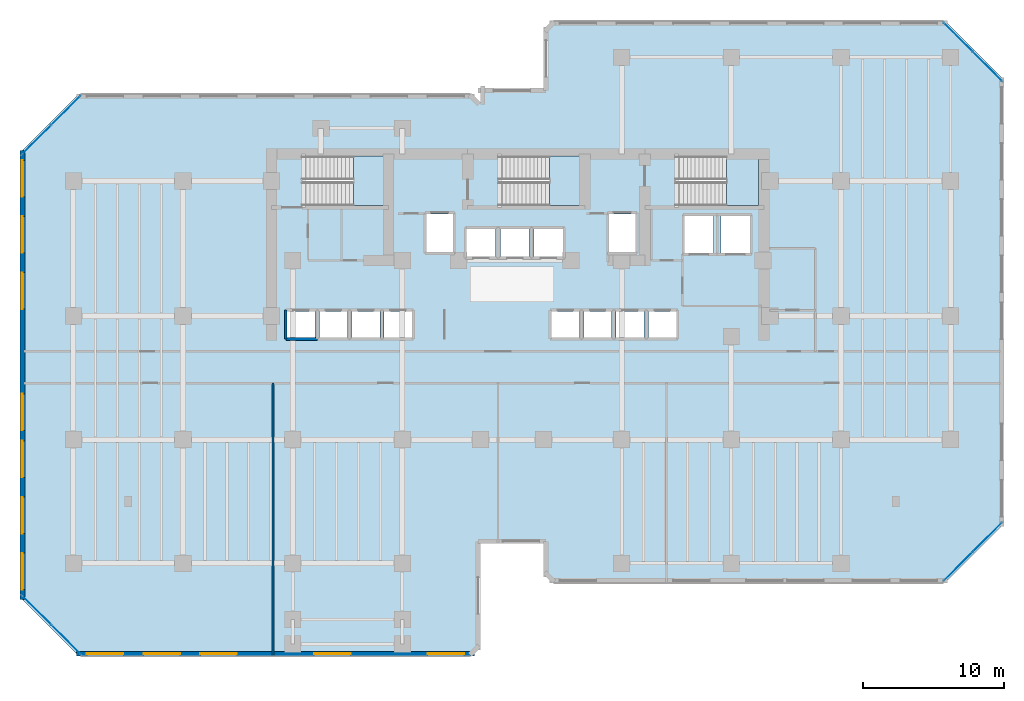
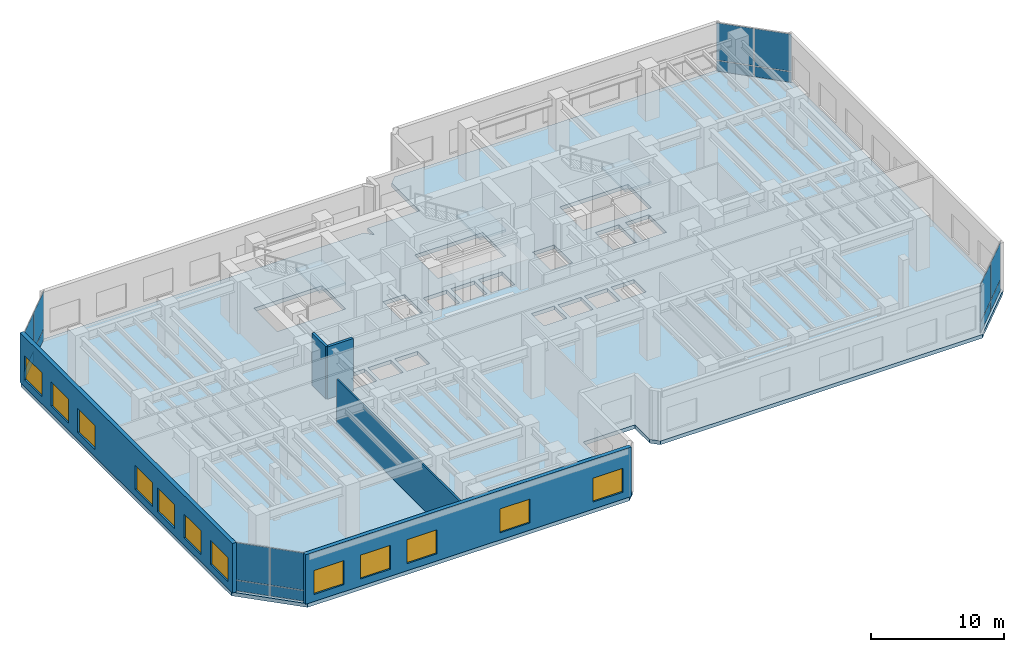
# One storey, part 9 of 17: 16 plates, 12 windows, 5 walls, 4 slabs, 12 openings, 7 elements without a shape of their own.
"""IFC4 building model written with IfcOpenShell, lengths in metres."""

from ifc_helpers import new_model, si_unit, direction, frame, frame_2d, origin, origin_2d, place, context, subcontext, project, spatial, polyline, rectangle, outline, extrude, material, layer, layer_set, type_object, element, fill, aggregate, save


model = new_model("IFC4")

# Units and contexts
model_context = context("Model", 3, precision=1e-05, world=origin(), true_north=direction((0.0, 1.0)))
body_context = subcontext(model_context, "Body", "Model", "MODEL_VIEW")
ifc_project = project(units=[si_unit("LENGTHUNIT", "METRE"), si_unit("AREAUNIT", "SQUARE_METRE"), si_unit("VOLUMEUNIT", "CUBIC_METRE"), si_unit("PLANEANGLEUNIT", "RADIAN"), si_unit("MASSUNIT", "GRAM", prefix="KILO")], contexts=[model_context])

# Site, building, storey
site_placement = place(None, origin())
site = spatial("IfcSite", under=ifc_project, at=site_placement, CompositionType="ELEMENT")
building_placement = place(site_placement, origin())
building = spatial("IfcBuilding", under=site, at=building_placement, Name="Kestravale Grand Hotel", CompositionType="ELEMENT")
storey_placement = place(building_placement, frame((0.0, 0.0, 129.800048828125)))
storey = spatial("IfcBuildingStorey", under=building, at=storey_placement, Name="L32", CompositionType="ELEMENT", Elevation=129.800048828125)

# Curtain wall, plates
ifc_material_1 = material(Name="Thermally broken champagne-bronze aluminium and low-E glazing", Category="aluminium")
ifc_layer_1 = layer(ifc_material_1, 0.199951171875)
ifc_layer_set_1 = layer_set([ifc_layer_1], Name="CW-Z2")
curtain_wall_type = type_object("IfcCurtainWallType", Name="CW-Z2", PredefinedType="NOTDEFINED", material=ifc_layer_set_1)
curtain_wall_1_placement = place(storey_placement, origin())
curtain_wall_1 = element("IfcCurtainWall", 1, at=curtain_wall_1_placement, inside=storey, type_object=curtain_wall_type, Name="L32 unitised curtain wall 8", PredefinedType="NOTDEFINED")
ifc_material_2 = material(Name="Insulated clear low-E double glazing IGU", Category="glass")
ifc_layer_2 = layer(ifc_material_2, 0.031982421875)
ifc_layer_set_2 = layer_set([ifc_layer_2], Name="CW-PNL-32")
plate_type = type_object("IfcPlateType", Name="CW-PNL-32", PredefinedType="CURTAIN_PANEL", material=ifc_layer_set_2)
plate_1_placement = place(storey_placement, frame((70.73583984375, 10.976318359375, 0.06494140625), z_axis=(0.0, 0.0, 1.0), x_axis=(0.707106781187, 0.707106781187, 0.0)))
plate_1 = element("IfcPlate", 2, at=plate_1_placement, type_object=plate_type, Name="CW-Z2 panel 1.1", PredefinedType="CURTAIN_PANEL", context=body_context, shape_type="SweptSolid", body=[
    extrude(rectangle(XDim=2.87744140625, YDim=0.031982421875, at=origin_2d()), origin(), (0.0, 0.0, 1.0), 0.952392578125),
])
plate_2_placement = place(storey_placement, frame((70.73583984375, 10.976318359375, 1.08251953125), z_axis=(0.0, 0.0, 1.0), x_axis=(0.707106781187, 0.707106781187, 0.0)))
plate_2 = element("IfcPlate", 3, at=plate_2_placement, type_object=plate_type, Name="CW-Z2 panel 1.2", PredefinedType="CURTAIN_PANEL", context=body_context, shape_type="SweptSolid", body=[
    extrude(rectangle(XDim=2.87744140625, YDim=0.031982421875, at=origin_2d()), origin(), (0.0, 0.0, 1.0), 3.402587890625),
])
plate_3_placement = place(storey_placement, frame((72.82373046875, 13.06396484375, 0.06494140625), z_axis=(0.0, 0.0, 1.0), x_axis=(0.707106781187, 0.707106781187, 0.0)))
plate_3 = element("IfcPlate", 4, at=plate_3_placement, type_object=plate_type, Name="CW-Z2 panel 2.1", PredefinedType="CURTAIN_PANEL", context=body_context, shape_type="SweptSolid", body=[
    extrude(rectangle(XDim=2.87744140625, YDim=0.031982421875, at=origin_2d()), origin(), (0.0, 0.0, 1.0), 0.952392578125),
])
plate_4_placement = place(storey_placement, frame((72.82373046875, 13.06396484375, 1.08251953125), z_axis=(0.0, 0.0, 1.0), x_axis=(0.707106781187, 0.707106781187, 0.0)))
plate_4 = element("IfcPlate", 5, at=plate_4_placement, type_object=plate_type, Name="CW-Z2 panel 2.2", PredefinedType="CURTAIN_PANEL", context=body_context, shape_type="SweptSolid", body=[
    extrude(rectangle(XDim=2.87744140625, YDim=0.031982421875, at=origin_2d()), origin(), (0.0, 0.0, 1.0), 3.402587890625),
])
aggregate(curtain_wall_1, [plate_1, plate_2, plate_3, plate_4])

curtain_wall_2_placement = place(storey_placement, origin())
curtain_wall_2 = element("IfcCurtainWall", 6, at=curtain_wall_2_placement, inside=storey, type_object=curtain_wall_type, Name="L32 unitised curtain wall 10", PredefinedType="NOTDEFINED")
plate_5_placement = place(storey_placement, frame((72.82373046875, 46.535888671875, 0.06494140625), z_axis=(0.0, 0.0, 1.0), x_axis=(-0.707106781187, 0.707106781187, 0.0)))
plate_5 = element("IfcPlate", 7, at=plate_5_placement, type_object=plate_type, Name="CW-Z2 panel 1.1", PredefinedType="CURTAIN_PANEL", context=body_context, shape_type="SweptSolid", body=[
    extrude(rectangle(XDim=2.87744140625, YDim=0.031982421875, at=origin_2d()), origin(), (0.0, 0.0, 1.0), 0.952392578125),
])
plate_6_placement = place(storey_placement, frame((72.82373046875, 46.535888671875, 1.08251953125), z_axis=(0.0, 0.0, 1.0), x_axis=(-0.707106781187, 0.707106781187, 0.0)))
plate_6 = element("IfcPlate", 8, at=plate_6_placement, type_object=plate_type, Name="CW-Z2 panel 1.2", PredefinedType="CURTAIN_PANEL", context=body_context, shape_type="SweptSolid", body=[
    extrude(rectangle(XDim=2.87744140625, YDim=0.031982421875, at=origin_2d()), origin(), (0.0, 0.0, 1.0), 3.402587890625),
])
plate_7_placement = place(storey_placement, frame((70.73583984375, 48.62353515625, 0.06494140625), z_axis=(0.0, 0.0, 1.0), x_axis=(-0.707106781187, 0.707106781187, 0.0)))
plate_7 = element("IfcPlate", 9, at=plate_7_placement, type_object=plate_type, Name="CW-Z2 panel 2.1", PredefinedType="CURTAIN_PANEL", context=body_context, shape_type="SweptSolid", body=[
    extrude(rectangle(XDim=2.87744140625, YDim=0.031982421875, at=origin_2d()), origin(), (0.0, 0.0, 1.0), 0.952392578125),
])
plate_8_placement = place(storey_placement, frame((70.73583984375, 48.62353515625, 1.08251953125), z_axis=(0.0, 0.0, 1.0), x_axis=(-0.707106781187, 0.707106781187, 0.0)))
plate_8 = element("IfcPlate", 10, at=plate_8_placement, type_object=plate_type, Name="CW-Z2 panel 2.2", PredefinedType="CURTAIN_PANEL", context=body_context, shape_type="SweptSolid", body=[
    extrude(rectangle(XDim=2.87744140625, YDim=0.031982421875, at=origin_2d()), origin(), (0.0, 0.0, 1.0), 3.402587890625),
])
aggregate(curtain_wall_2, [plate_5, plate_6, plate_7, plate_8])

curtain_wall_3_placement = place(storey_placement, origin())
curtain_wall_3 = element("IfcCurtainWall", 11, at=curtain_wall_3_placement, inside=storey, type_object=curtain_wall_type, Name="L32 unitised curtain wall 18", PredefinedType="NOTDEFINED")
plate_9_placement = place(storey_placement, frame((7.26416015625, 43.423583984375, 0.06494140625), z_axis=(0.0, 0.0, 1.0), x_axis=(-0.707106781187, -0.707106781187, 0.0)))
plate_9 = element("IfcPlate", 12, at=plate_9_placement, type_object=plate_type, Name="CW-Z2 panel 1.1", PredefinedType="CURTAIN_PANEL", context=body_context, shape_type="SweptSolid", body=[
    extrude(rectangle(XDim=2.87744140625, YDim=0.031982421875, at=origin_2d()), origin(), (0.0, 0.0, 1.0), 0.952392578125),
])
plate_10_placement = place(storey_placement, frame((7.26416015625, 43.423583984375, 1.08251953125), z_axis=(0.0, 0.0, 1.0), x_axis=(-0.707106781187, -0.707106781187, 0.0)))
plate_10 = element("IfcPlate", 13, at=plate_10_placement, type_object=plate_type, Name="CW-Z2 panel 1.2", PredefinedType="CURTAIN_PANEL", context=body_context, shape_type="SweptSolid", body=[
    extrude(rectangle(XDim=2.87744140625, YDim=0.031982421875, at=origin_2d()), origin(), (0.0, 0.0, 1.0), 3.402587890625),
])
plate_11_placement = place(storey_placement, frame((5.17626953125, 41.3359375, 0.06494140625), z_axis=(0.0, 0.0, 1.0), x_axis=(-0.707106781187, -0.707106781187, 0.0)))
plate_11 = element("IfcPlate", 14, at=plate_11_placement, type_object=plate_type, Name="CW-Z2 panel 2.1", PredefinedType="CURTAIN_PANEL", context=body_context, shape_type="SweptSolid", body=[
    extrude(rectangle(XDim=2.87744140625, YDim=0.031982421875, at=origin_2d()), origin(), (0.0, 0.0, 1.0), 0.952392578125),
])
plate_12_placement = place(storey_placement, frame((5.17626953125, 41.3359375, 1.08251953125), z_axis=(0.0, 0.0, 1.0), x_axis=(-0.707106781187, -0.707106781187, 0.0)))
plate_12 = element("IfcPlate", 15, at=plate_12_placement, type_object=plate_type, Name="CW-Z2 panel 2.2", PredefinedType="CURTAIN_PANEL", context=body_context, shape_type="SweptSolid", body=[
    extrude(rectangle(XDim=2.87744140625, YDim=0.031982421875, at=origin_2d()), origin(), (0.0, 0.0, 1.0), 3.402587890625),
])
aggregate(curtain_wall_3, [plate_9, plate_10, plate_11, plate_12])

curtain_wall_4_placement = place(storey_placement, origin())
curtain_wall_4 = element("IfcCurtainWall", 16, at=curtain_wall_4_placement, inside=storey, type_object=curtain_wall_type, Name="L32 unitised curtain wall 20", PredefinedType="NOTDEFINED")
plate_13_placement = place(storey_placement, frame((5.17626953125, 7.864013671875, 0.06494140625), z_axis=(0.0, 0.0, 1.0), x_axis=(0.707106781187, -0.707106781187, 0.0)))
plate_13 = element("IfcPlate", 17, at=plate_13_placement, type_object=plate_type, Name="CW-Z2 panel 1.1", PredefinedType="CURTAIN_PANEL", context=body_context, shape_type="SweptSolid", body=[
    extrude(rectangle(XDim=2.87744140625, YDim=0.031982421875, at=origin_2d()), origin(), (0.0, 0.0, 1.0), 0.952392578125),
])
plate_14_placement = place(storey_placement, frame((5.17626953125, 7.864013671875, 1.08251953125), z_axis=(0.0, 0.0, 1.0), x_axis=(0.707106781187, -0.707106781187, 0.0)))
plate_14 = element("IfcPlate", 18, at=plate_14_placement, type_object=plate_type, Name="CW-Z2 panel 1.2", PredefinedType="CURTAIN_PANEL", context=body_context, shape_type="SweptSolid", body=[
    extrude(rectangle(XDim=2.87744140625, YDim=0.031982421875, at=origin_2d()), origin(), (0.0, 0.0, 1.0), 3.402587890625),
])
plate_15_placement = place(storey_placement, frame((7.26416015625, 5.7763671875, 0.06494140625), z_axis=(0.0, 0.0, 1.0), x_axis=(0.707106781187, -0.707106781187, 0.0)))
plate_15 = element("IfcPlate", 19, at=plate_15_placement, type_object=plate_type, Name="CW-Z2 panel 2.1", PredefinedType="CURTAIN_PANEL", context=body_context, shape_type="SweptSolid", body=[
    extrude(rectangle(XDim=2.87744140625, YDim=0.031982421875, at=origin_2d()), origin(), (0.0, 0.0, 1.0), 0.952392578125),
])
plate_16_placement = place(storey_placement, frame((7.26416015625, 5.7763671875, 1.08251953125), z_axis=(0.0, 0.0, 1.0), x_axis=(0.707106781187, -0.707106781187, 0.0)))
plate_16 = element("IfcPlate", 20, at=plate_16_placement, type_object=plate_type, Name="CW-Z2 panel 2.2", PredefinedType="CURTAIN_PANEL", context=body_context, shape_type="SweptSolid", body=[
    extrude(rectangle(XDim=2.87744140625, YDim=0.031982421875, at=origin_2d()), origin(), (0.0, 0.0, 1.0), 3.402587890625),
])
aggregate(curtain_wall_4, [plate_13, plate_14, plate_15, plate_16])

# Stair, slab
ifc_material_3 = material(Name="Concrete f'c 45 MPa", Category="concrete")
stair_type = type_object("IfcStairType", Name="ST-CORE-480", PredefinedType="HALF_TURN_STAIR", material=ifc_material_3)
stair_1_placement = place(storey_placement, origin())
stair_1 = element("IfcStair", 21, at=stair_1_placement, inside=storey, type_object=stair_type, Name="L32 ST-1", PredefinedType="HALF_TURN_STAIR")
ifc_material_4 = material(Name="Concrete f'c 45 MPa", Category="concrete")
ifc_layer_3 = layer(ifc_material_4, 0.199951171875)
ifc_layer_set_3 = layer_set([ifc_layer_3], Name="SLB-ST-LND200")
slab_type_1 = type_object("IfcSlabType", Name="SLB-ST-LND200", PredefinedType="LANDING", material=ifc_layer_set_3)
slab_1_placement = place(storey_placement, frame((0.0, 0.0, 2.199951171875)))
slab_1 = element("IfcSlab", 22, at=slab_1_placement, type_object=slab_type_1, Name="ST-1 landing 1", PredefinedType="LANDING", context=body_context, shape_type="SweptSolid", body=[
    extrude(outline(polyline([(27.719970703125, 36.64990234375), (30.0, 36.64990234375), (30.0, 40.159912109375), (27.719970703125, 40.159912109375), (27.719970703125, 36.64990234375)])), origin(), (0.0, 0.0, 1.0), 0.199951171875),
])
aggregate(stair_1, [slab_1])

stair_2_placement = place(storey_placement, origin())
stair_2 = element("IfcStair", 23, at=stair_2_placement, inside=storey, type_object=stair_type, Name="L32 ST-2", PredefinedType="HALF_TURN_STAIR")
slab_2_placement = place(storey_placement, frame((0.0, 0.0, 2.199951171875)))
slab_2 = element("IfcSlab", 24, at=slab_2_placement, type_object=slab_type_1, Name="ST-2 landing 1", PredefinedType="LANDING", context=body_context, shape_type="SweptSolid", body=[
    extrude(outline(polyline([(41.669921875, 36.64990234375), (43.949951171875, 36.64990234375), (43.949951171875, 40.159912109375), (41.669921875, 40.159912109375), (41.669921875, 36.64990234375)])), origin(), (0.0, 0.0, 1.0), 0.199951171875),
])
aggregate(stair_2, [slab_2])

stair_3_placement = place(storey_placement, origin())
stair_3 = element("IfcStair", 25, at=stair_3_placement, inside=storey, type_object=stair_type, Name="L32 ST-3", PredefinedType="HALF_TURN_STAIR")
slab_3_placement = place(storey_placement, frame((0.0, 0.0, 2.199951171875)))
slab_3 = element("IfcSlab", 26, at=slab_3_placement, type_object=slab_type_1, Name="ST-3 landing 1", PredefinedType="LANDING", context=body_context, shape_type="SweptSolid", body=[
    extrude(outline(polyline([(54.27001953125, 36.64990234375), (56.550048828125, 36.64990234375), (56.550048828125, 40.159912109375), (54.27001953125, 40.159912109375), (54.27001953125, 36.64990234375)])), origin(), (0.0, 0.0, 1.0), 0.199951171875),
])
aggregate(stair_3, [slab_3])

# Slab
ifc_material_5 = material(Name="Concrete f'c 45 MPa", Category="concrete")
ifc_layer_4 = layer(ifc_material_5, 0.340087890625)
ifc_layer_set_4 = layer_set([ifc_layer_4], Name="SS-FLR-340")
slab_type_2 = type_object("IfcSlabType", Name="SS-FLR-340", PredefinedType="FLOOR", material=ifc_layer_set_4)
slab_4_placement = place(storey_placement, frame((0.0, 0.0, -0.340087890625)))
element("IfcSlab", 27, at=slab_4_placement, inside=storey, type_object=slab_type_2, Name="L32 structural floor slab", PredefinedType="FLOOR", context=body_context, shape_type="SweptSolid", body=[
    extrude(outline(polyline([(8.199951171875, 4.60009765625), (36.14990234375, 4.60009765625), (36.75, 5.199951171875), (36.75, 12.60009765625), (41.25, 12.60009765625), (41.25, 10.39990234375), (41.85009765625, 9.800048828125), (69.800048828125, 9.800048828125), (74.0, 14.0), (74.0, 45.60009765625), (69.800048828125, 49.800048828125), (41.85009765625, 49.800048828125), (41.25, 49.199951171875), (41.25, 45.0), (36.75, 45.0), (36.75, 44.0), (36.14990234375, 44.60009765625), (8.199951171875, 44.60009765625), (4.0, 40.39990234375), (4.0, 8.800048828125), (8.199951171875, 4.60009765625)]), holes=[polyline([(24.080078125, 36.64990234375), (30.0, 36.64990234375), (30.0, 40.159912109375), (24.080078125, 40.159912109375), (24.080078125, 36.64990234375)]), polyline([(38.030029296875, 36.64990234375), (43.949951171875, 36.64990234375), (43.949951171875, 40.159912109375), (38.030029296875, 40.159912109375), (38.030029296875, 36.64990234375)]), polyline([(50.6298828125, 36.64990234375), (56.550048828125, 36.64990234375), (56.550048828125, 40.159912109375), (50.6298828125, 40.159912109375), (50.6298828125, 36.64990234375)]), polyline([(23.0048828125, 27.280029296875), (24.9951171875, 27.280029296875), (24.9951171875, 29.1201171875), (23.0048828125, 29.1201171875), (23.0048828125, 27.280029296875)]), polyline([(25.304931640625, 27.280029296875), (27.294921875, 27.280029296875), (27.294921875, 29.1201171875), (25.304931640625, 29.1201171875), (25.304931640625, 27.280029296875)]), polyline([(27.60498046875, 27.280029296875), (29.594970703125, 27.280029296875), (29.594970703125, 29.1201171875), (27.60498046875, 29.1201171875), (27.60498046875, 27.280029296875)]), polyline([(29.905029296875, 27.280029296875), (31.89501953125, 27.280029296875), (31.89501953125, 29.1201171875), (29.905029296875, 29.1201171875), (29.905029296875, 27.280029296875)]), polyline([(41.804931640625, 27.280029296875), (43.794921875, 27.280029296875), (43.794921875, 29.1201171875), (41.804931640625, 29.1201171875), (41.804931640625, 27.280029296875)]), polyline([(44.10498046875, 27.280029296875), (46.094970703125, 27.280029296875), (46.094970703125, 29.1201171875), (44.10498046875, 29.1201171875), (44.10498046875, 27.280029296875)]), polyline([(46.405029296875, 27.280029296875), (48.39501953125, 27.280029296875), (48.39501953125, 29.1201171875), (46.405029296875, 29.1201171875), (46.405029296875, 27.280029296875)]), polyline([(48.705078125, 27.280029296875), (50.695068359375, 27.280029296875), (50.695068359375, 29.1201171875), (48.705078125, 29.1201171875), (48.705078125, 27.280029296875)]), polyline([(35.780029296875, 33.030029296875), (37.820068359375, 33.030029296875), (37.820068359375, 34.969970703125), (35.780029296875, 34.969970703125), (35.780029296875, 33.030029296875)]), polyline([(38.179931640625, 33.030029296875), (40.219970703125, 33.030029296875), (40.219970703125, 34.969970703125), (38.179931640625, 34.969970703125), (38.179931640625, 33.030029296875)]), polyline([(40.580078125, 33.030029296875), (42.6201171875, 33.030029296875), (42.6201171875, 34.969970703125), (40.580078125, 34.969970703125), (40.580078125, 33.030029296875)]), polyline([(32.905029296875, 33.35498046875), (34.794921875, 33.35498046875), (34.794921875, 36.044921875), (32.905029296875, 36.044921875), (32.905029296875, 33.35498046875)]), polyline([(45.905029296875, 33.35498046875), (47.794921875, 33.35498046875), (47.794921875, 36.044921875), (45.905029296875, 36.044921875), (45.905029296875, 33.35498046875)]), polyline([(51.280029296875, 33.280029296875), (53.320068359375, 33.280029296875), (53.320068359375, 35.919921875), (51.280029296875, 35.919921875), (51.280029296875, 33.280029296875)]), polyline([(53.8798828125, 33.280029296875), (55.919921875, 33.280029296875), (55.919921875, 35.919921875), (53.8798828125, 35.919921875), (53.8798828125, 33.280029296875)])]), origin(), (0.0, 0.0, 1.0), 0.340087890625),
])

# Wall, openings, windows
ifc_material_6 = material(Name="Precast concrete f'c 45 MPa", Category="concrete")
ifc_layer_5 = layer(ifc_material_6, 0.340087890625)
ifc_layer_set_5 = layer_set([ifc_layer_5], Name="EW-PREC-340")
wall_type_1 = type_object("IfcWallType", Name="EW-PREC-340", PredefinedType="SOLIDWALL", material=ifc_layer_set_5)
wall_1_placement = place(storey_placement, frame((8.030029296875, 4.77001953125, 0.0), z_axis=(0.0, 0.0, 1.0), x_axis=(1.0, 0.0, 0.0)))
wall_1 = element("IfcWall", 28, at=wall_1_placement, inside=storey, type_object=wall_type_1, Name="L32 fluted precast facade wall 1", PredefinedType="SOLIDWALL", context=body_context, shape_type="SweptSolid", body=[
    extrude(rectangle(XDim=28.2900390625, YDim=0.340087890625, at=frame_2d((14.14501953125, 0.0))), origin(), (0.0, 0.0, 1.0), 4.550048828125),
])
opening_1_placement = place(wall_1_placement, frame((0.720703125, 0.0, 0.64990234375)))
opening_1 = element("IfcOpeningElement", 29, at=opening_1_placement, cuts=wall_1, Name="Opening W-SKY-2600", PredefinedType="OPENING", context=body_context, shape_type="SweptSolid", body=[
    extrude(rectangle(XDim=2.60009765625, YDim=2.199951171875, at=frame_2d((1.300048828125, 1.10009765625))), frame((0.0, 0.179931640625, 0.0), z_axis=(0.0, -1.0, 0.0), x_axis=(1.0, 0.0, 0.0)), (0.0, 0.0, 1.0), 0.360107421875),
])
opening_2_placement = place(wall_1_placement, frame((4.76220703125, 0.0, 0.64990234375)))
opening_2 = element("IfcOpeningElement", 30, at=opening_2_placement, cuts=wall_1, Name="Opening W-SKY-2600", PredefinedType="OPENING", context=body_context, shape_type="SweptSolid", body=[
    extrude(rectangle(XDim=2.60009765625, YDim=2.199951171875, at=frame_2d((1.300048828125, 1.10009765625))), frame((0.0, 0.179931640625, 0.0), z_axis=(0.0, -1.0, 0.0), x_axis=(1.0, 0.0, 0.0)), (0.0, 0.0, 1.0), 0.360107421875),
])
opening_3_placement = place(wall_1_placement, frame((8.8037109375, 0.0, 0.64990234375)))
opening_3 = element("IfcOpeningElement", 31, at=opening_3_placement, cuts=wall_1, Name="Opening W-SKY-2600", PredefinedType="OPENING", context=body_context, shape_type="SweptSolid", body=[
    extrude(rectangle(XDim=2.60009765625, YDim=2.199951171875, at=frame_2d((1.300048828125, 1.10009765625))), frame((0.0, 0.179931640625, 0.0), z_axis=(0.0, -1.0, 0.0), x_axis=(1.0, 0.0, 0.0)), (0.0, 0.0, 1.0), 0.360107421875),
])
opening_4_placement = place(wall_1_placement, frame((16.886474609375, 0.0, 0.64990234375)))
opening_4 = element("IfcOpeningElement", 32, at=opening_4_placement, cuts=wall_1, Name="Opening W-SKY-2600", PredefinedType="OPENING", context=body_context, shape_type="SweptSolid", body=[
    extrude(rectangle(XDim=2.60009765625, YDim=2.199951171875, at=frame_2d((1.300048828125, 1.10009765625))), frame((0.0, 0.179931640625, 0.0), z_axis=(0.0, -1.0, 0.0), x_axis=(1.0, 0.0, 0.0)), (0.0, 0.0, 1.0), 0.360107421875),
])
opening_5_placement = place(wall_1_placement, frame((24.96923828125, 0.0, 0.64990234375)))
opening_5 = element("IfcOpeningElement", 33, at=opening_5_placement, cuts=wall_1, Name="Opening W-SKY-2600", PredefinedType="OPENING", context=body_context, shape_type="SweptSolid", body=[
    extrude(rectangle(XDim=2.60009765625, YDim=2.199951171875, at=frame_2d((1.300048828125, 1.10009765625))), frame((0.0, 0.179931640625, 0.0), z_axis=(0.0, -1.0, 0.0), x_axis=(1.0, 0.0, 0.0)), (0.0, 0.0, 1.0), 0.360107421875),
])
ifc_material_7 = material(Name="Insulated low-E double glazing in aluminium frame", Category="aluminium")
window_type = type_object("IfcWindowType", Name="W-SKY-2600", PartitioningType="TRIPLE_PANEL_VERTICAL", PredefinedType="WINDOW", material=ifc_material_7)
window_1_placement = place(opening_1_placement, origin())
window_1 = element("IfcWindow", 34, at=window_1_placement, inside=storey, type_object=window_type, Name="L32 exterior window 1.1", OverallHeight=2.199951171875, OverallWidth=2.60009765625, PartitioningType="SINGLE_PANEL", PredefinedType="WINDOW", context=body_context, shape_type="SweptSolid", body=[
    extrude(rectangle(XDim=2.60009765625, YDim=2.199951171875, at=frame_2d((1.300048828125, 1.10009765625))), frame((0.0, 0.030029296875, 0.0), z_axis=(0.0, -1.0, 0.0), x_axis=(1.0, 0.0, 0.0)), (0.0, 0.0, 1.0), 0.06005859375),
])
fill(opening_1, window_1)
window_2_placement = place(opening_2_placement, origin())
window_2 = element("IfcWindow", 35, at=window_2_placement, inside=storey, type_object=window_type, Name="L32 exterior window 1.2", OverallHeight=2.199951171875, OverallWidth=2.60009765625, PartitioningType="SINGLE_PANEL", PredefinedType="WINDOW", context=body_context, shape_type="SweptSolid", body=[
    extrude(rectangle(XDim=2.60009765625, YDim=2.199951171875, at=frame_2d((1.300048828125, 1.10009765625))), frame((0.0, 0.030029296875, 0.0), z_axis=(0.0, -1.0, 0.0), x_axis=(1.0, 0.0, 0.0)), (0.0, 0.0, 1.0), 0.06005859375),
])
fill(opening_2, window_2)
window_3_placement = place(opening_3_placement, origin())
window_3 = element("IfcWindow", 36, at=window_3_placement, inside=storey, type_object=window_type, Name="L32 exterior window 1.3", OverallHeight=2.199951171875, OverallWidth=2.60009765625, PartitioningType="SINGLE_PANEL", PredefinedType="WINDOW", context=body_context, shape_type="SweptSolid", body=[
    extrude(rectangle(XDim=2.60009765625, YDim=2.199951171875, at=frame_2d((1.300048828125, 1.10009765625))), frame((0.0, 0.030029296875, 0.0), z_axis=(0.0, -1.0, 0.0), x_axis=(1.0, 0.0, 0.0)), (0.0, 0.0, 1.0), 0.06005859375),
])
fill(opening_3, window_3)
window_4_placement = place(opening_4_placement, origin())
window_4 = element("IfcWindow", 37, at=window_4_placement, inside=storey, type_object=window_type, Name="L32 exterior window 1.4", OverallHeight=2.199951171875, OverallWidth=2.60009765625, PartitioningType="SINGLE_PANEL", PredefinedType="WINDOW", context=body_context, shape_type="SweptSolid", body=[
    extrude(rectangle(XDim=2.60009765625, YDim=2.199951171875, at=frame_2d((1.300048828125, 1.10009765625))), frame((0.0, 0.030029296875, 0.0), z_axis=(0.0, -1.0, 0.0), x_axis=(1.0, 0.0, 0.0)), (0.0, 0.0, 1.0), 0.06005859375),
])
fill(opening_4, window_4)
window_5_placement = place(opening_5_placement, origin())
window_5 = element("IfcWindow", 38, at=window_5_placement, inside=storey, type_object=window_type, Name="L32 exterior window 1.5", OverallHeight=2.199951171875, OverallWidth=2.60009765625, PartitioningType="SINGLE_PANEL", PredefinedType="WINDOW", context=body_context, shape_type="SweptSolid", body=[
    extrude(rectangle(XDim=2.60009765625, YDim=2.199951171875, at=frame_2d((1.300048828125, 1.10009765625))), frame((0.0, 0.030029296875, 0.0), z_axis=(0.0, -1.0, 0.0), x_axis=(1.0, 0.0, 0.0)), (0.0, 0.0, 1.0), 0.06005859375),
])
fill(opening_5, window_5)

wall_2_placement = place(storey_placement, frame((4.169921875, 40.570068359375, 0.0), z_axis=(0.0, 0.0, 1.0), x_axis=(0.0, -1.0, 0.0)))
wall_2 = element("IfcWall", 39, at=wall_2_placement, inside=storey, type_object=wall_type_1, Name="L32 fluted precast facade wall 19", PredefinedType="SOLIDWALL", context=body_context, shape_type="SweptSolid", body=[
    extrude(rectangle(XDim=31.940185546875, YDim=0.340087890625, at=frame_2d((15.97021484375, 0.0))), origin(), (0.0, 0.0, 1.0), 4.550048828125),
])
opening_6_placement = place(wall_2_placement, frame((0.6962890625, 0.0, 0.64990234375)))
opening_6 = element("IfcOpeningElement", 40, at=opening_6_placement, cuts=wall_2, Name="Opening W-SKY-2600", PredefinedType="OPENING", context=body_context, shape_type="SweptSolid", body=[
    extrude(rectangle(XDim=2.60009765625, YDim=2.199951171875, at=frame_2d((1.300048828125, 1.10009765625))), frame((0.0, 0.179931640625, 0.0), z_axis=(0.0, -1.0, 0.0), x_axis=(1.0, 0.0, 0.0)), (0.0, 0.0, 1.0), 0.360107421875),
])
opening_7_placement = place(wall_2_placement, frame((4.688720703125, 0.0, 0.64990234375)))
opening_7 = element("IfcOpeningElement", 41, at=opening_7_placement, cuts=wall_2, Name="Opening W-SKY-2600", PredefinedType="OPENING", context=body_context, shape_type="SweptSolid", body=[
    extrude(rectangle(XDim=2.60009765625, YDim=2.199951171875, at=frame_2d((1.300048828125, 1.10009765625))), frame((0.0, 0.179931640625, 0.0), z_axis=(0.0, -1.0, 0.0), x_axis=(1.0, 0.0, 0.0)), (0.0, 0.0, 1.0), 0.360107421875),
])
opening_8_placement = place(wall_2_placement, frame((8.68115234375, 0.0, 0.64990234375)))
opening_8 = element("IfcOpeningElement", 42, at=opening_8_placement, cuts=wall_2, Name="Opening W-SKY-2600", PredefinedType="OPENING", context=body_context, shape_type="SweptSolid", body=[
    extrude(rectangle(XDim=2.60009765625, YDim=2.199951171875, at=frame_2d((1.300048828125, 1.10009765625))), frame((0.0, 0.179931640625, 0.0), z_axis=(0.0, -1.0, 0.0), x_axis=(1.0, 0.0, 0.0)), (0.0, 0.0, 1.0), 0.360107421875),
])
opening_9_placement = place(wall_2_placement, frame((17.316162109375, 0.0, 0.64990234375)))
opening_9 = element("IfcOpeningElement", 43, at=opening_9_placement, cuts=wall_2, Name="Opening W-SKY-2600", PredefinedType="OPENING", context=body_context, shape_type="SweptSolid", body=[
    extrude(rectangle(XDim=2.60009765625, YDim=2.199951171875, at=frame_2d((1.300048828125, 1.10009765625))), frame((0.0, 0.179931640625, 0.0), z_axis=(0.0, -1.0, 0.0), x_axis=(1.0, 0.0, 0.0)), (0.0, 0.0, 1.0), 0.360107421875),
])
opening_10_placement = place(wall_2_placement, frame((20.65869140625, 0.0, 0.64990234375)))
opening_10 = element("IfcOpeningElement", 44, at=opening_10_placement, cuts=wall_2, Name="Opening W-SKY-2600", PredefinedType="OPENING", context=body_context, shape_type="SweptSolid", body=[
    extrude(rectangle(XDim=2.60009765625, YDim=2.199951171875, at=frame_2d((1.300048828125, 1.10009765625))), frame((0.0, 0.179931640625, 0.0), z_axis=(0.0, -1.0, 0.0), x_axis=(1.0, 0.0, 0.0)), (0.0, 0.0, 1.0), 0.360107421875),
])
opening_11_placement = place(wall_2_placement, frame((24.651123046875, 0.0, 0.64990234375)))
opening_11 = element("IfcOpeningElement", 45, at=opening_11_placement, cuts=wall_2, Name="Opening W-SKY-2600", PredefinedType="OPENING", context=body_context, shape_type="SweptSolid", body=[
    extrude(rectangle(XDim=2.60009765625, YDim=2.199951171875, at=frame_2d((1.300048828125, 1.10009765625))), frame((0.0, 0.179931640625, 0.0), z_axis=(0.0, -1.0, 0.0), x_axis=(1.0, 0.0, 0.0)), (0.0, 0.0, 1.0), 0.360107421875),
])
opening_12_placement = place(wall_2_placement, frame((28.643798828125, 0.0, 0.64990234375)))
opening_12 = element("IfcOpeningElement", 46, at=opening_12_placement, cuts=wall_2, Name="Opening W-SKY-2600", PredefinedType="OPENING", context=body_context, shape_type="SweptSolid", body=[
    extrude(rectangle(XDim=2.60009765625, YDim=2.199951171875, at=frame_2d((1.300048828125, 1.10009765625))), frame((0.0, 0.179931640625, 0.0), z_axis=(0.0, -1.0, 0.0), x_axis=(1.0, 0.0, 0.0)), (0.0, 0.0, 1.0), 0.360107421875),
])
window_6_placement = place(opening_6_placement, origin())
window_6 = element("IfcWindow", 47, at=window_6_placement, inside=storey, type_object=window_type, Name="L32 exterior window 19.1", OverallHeight=2.199951171875, OverallWidth=2.60009765625, PartitioningType="SINGLE_PANEL", PredefinedType="WINDOW", context=body_context, shape_type="SweptSolid", body=[
    extrude(rectangle(XDim=2.60009765625, YDim=2.199951171875, at=frame_2d((1.300048828125, 1.10009765625))), frame((0.0, 0.030029296875, 0.0), z_axis=(0.0, -1.0, 0.0), x_axis=(1.0, 0.0, 0.0)), (0.0, 0.0, 1.0), 0.06005859375),
])
fill(opening_6, window_6)
window_7_placement = place(opening_7_placement, origin())
window_7 = element("IfcWindow", 48, at=window_7_placement, inside=storey, type_object=window_type, Name="L32 exterior window 19.2", OverallHeight=2.199951171875, OverallWidth=2.60009765625, PartitioningType="SINGLE_PANEL", PredefinedType="WINDOW", context=body_context, shape_type="SweptSolid", body=[
    extrude(rectangle(XDim=2.60009765625, YDim=2.199951171875, at=frame_2d((1.300048828125, 1.10009765625))), frame((0.0, 0.030029296875, 0.0), z_axis=(0.0, -1.0, 0.0), x_axis=(1.0, 0.0, 0.0)), (0.0, 0.0, 1.0), 0.06005859375),
])
fill(opening_7, window_7)
window_8_placement = place(opening_8_placement, origin())
window_8 = element("IfcWindow", 49, at=window_8_placement, inside=storey, type_object=window_type, Name="L32 exterior window 19.3", OverallHeight=2.199951171875, OverallWidth=2.60009765625, PartitioningType="SINGLE_PANEL", PredefinedType="WINDOW", context=body_context, shape_type="SweptSolid", body=[
    extrude(rectangle(XDim=2.60009765625, YDim=2.199951171875, at=frame_2d((1.300048828125, 1.10009765625))), frame((0.0, 0.030029296875, 0.0), z_axis=(0.0, -1.0, 0.0), x_axis=(1.0, 0.0, 0.0)), (0.0, 0.0, 1.0), 0.06005859375),
])
fill(opening_8, window_8)
window_9_placement = place(opening_9_placement, origin())
window_9 = element("IfcWindow", 50, at=window_9_placement, inside=storey, type_object=window_type, Name="L32 exterior window 19.4", OverallHeight=2.199951171875, OverallWidth=2.60009765625, PartitioningType="SINGLE_PANEL", PredefinedType="WINDOW", context=body_context, shape_type="SweptSolid", body=[
    extrude(rectangle(XDim=2.60009765625, YDim=2.199951171875, at=frame_2d((1.300048828125, 1.10009765625))), frame((0.0, 0.030029296875, 0.0), z_axis=(0.0, -1.0, 0.0), x_axis=(1.0, 0.0, 0.0)), (0.0, 0.0, 1.0), 0.06005859375),
])
fill(opening_9, window_9)
window_10_placement = place(opening_10_placement, origin())
window_10 = element("IfcWindow", 51, at=window_10_placement, inside=storey, type_object=window_type, Name="L32 exterior window 19.5", OverallHeight=2.199951171875, OverallWidth=2.60009765625, PartitioningType="SINGLE_PANEL", PredefinedType="WINDOW", context=body_context, shape_type="SweptSolid", body=[
    extrude(rectangle(XDim=2.60009765625, YDim=2.199951171875, at=frame_2d((1.300048828125, 1.10009765625))), frame((0.0, 0.030029296875, 0.0), z_axis=(0.0, -1.0, 0.0), x_axis=(1.0, 0.0, 0.0)), (0.0, 0.0, 1.0), 0.06005859375),
])
fill(opening_10, window_10)
window_11_placement = place(opening_11_placement, origin())
window_11 = element("IfcWindow", 52, at=window_11_placement, inside=storey, type_object=window_type, Name="L32 exterior window 19.6", OverallHeight=2.199951171875, OverallWidth=2.60009765625, PartitioningType="SINGLE_PANEL", PredefinedType="WINDOW", context=body_context, shape_type="SweptSolid", body=[
    extrude(rectangle(XDim=2.60009765625, YDim=2.199951171875, at=frame_2d((1.300048828125, 1.10009765625))), frame((0.0, 0.030029296875, 0.0), z_axis=(0.0, -1.0, 0.0), x_axis=(1.0, 0.0, 0.0)), (0.0, 0.0, 1.0), 0.06005859375),
])
fill(opening_11, window_11)
window_12_placement = place(opening_12_placement, origin())
window_12 = element("IfcWindow", 53, at=window_12_placement, inside=storey, type_object=window_type, Name="L32 exterior window 19.7", OverallHeight=2.199951171875, OverallWidth=2.60009765625, PartitioningType="SINGLE_PANEL", PredefinedType="WINDOW", context=body_context, shape_type="SweptSolid", body=[
    extrude(rectangle(XDim=2.60009765625, YDim=2.199951171875, at=frame_2d((1.300048828125, 1.10009765625))), frame((0.0, 0.030029296875, 0.0), z_axis=(0.0, -1.0, 0.0), x_axis=(1.0, 0.0, 0.0)), (0.0, 0.0, 1.0), 0.06005859375),
])
fill(opening_12, window_12)

# Walls
ifc_material_8 = material(Name="Concrete f'c 45 MPa", Category="concrete")
ifc_layer_6 = layer(ifc_material_8, 0.199951171875)
ifc_layer_set_6 = layer_set([ifc_layer_6], Name="IW-SHAFT-200")
wall_type_2 = type_object("IfcWallType", Name="IW-SHAFT-200", PredefinedType="SHEAR", material=ifc_layer_set_6)
wall_3_placement = place(storey_placement, frame((22.905029296875, 27.169921875, 0.0), z_axis=(0.0, 0.0, 1.0), x_axis=(0.0, 1.0, 0.0)))
element("IfcWall", 54, at=wall_3_placement, inside=storey, type_object=wall_type_2, Name="L32 PL-L1 west shaft wall", PredefinedType="SHEAR", context=body_context, shape_type="SweptSolid", body=[
    extrude(rectangle(XDim=2.06005859375, YDim=0.199951171875, at=frame_2d((1.030029296875, 0.0))), origin(), (0.0, 0.0, 1.0), 4.800048828125),
])
ifc_material_9 = material(Name="Concrete f'c 45 MPa", Category="concrete")
ifc_layer_7 = layer(ifc_material_9, 0.219970703125)
ifc_layer_set_7 = layer_set([ifc_layer_7], Name="IW-SHAFT-220")
wall_type_3 = type_object("IfcWallType", Name="IW-SHAFT-220", PredefinedType="SHEAR", material=ifc_layer_set_7)
wall_4_placement = place(storey_placement, frame((22.905029296875, 27.169921875, 0.0), z_axis=(0.0, 0.0, 1.0), x_axis=(1.0, 0.0, 0.0)))
element("IfcWall", 55, at=wall_4_placement, inside=storey, type_object=wall_type_3, Name="L32 PL-L1 south shaft wall", PredefinedType="SHEAR", context=body_context, shape_type="SweptSolid", body=[
    extrude(rectangle(XDim=2.244873046875, YDim=0.219970703125, at=frame_2d((1.12255859375, 0.0))), origin(), (0.0, 0.0, 1.0), 4.800048828125),
])
ifc_material_10 = material(Name="Double-stud STC 52 acoustic demising partition", Category="other")
ifc_layer_8 = layer(ifc_material_10, 0.14990234375)
ifc_layer_set_8 = layer_set([ifc_layer_8], Name="IW-UNIT-150")
wall_type_4 = type_object("IfcWallType", Name="IW-UNIT-150", PredefinedType="PARTITIONING", material=ifc_layer_set_8)
wall_5_placement = place(storey_placement, frame((22.0, 4.6201171875, 0.0), z_axis=(0.0, 0.0, 1.0), x_axis=(0.0, 1.0, 0.0)))
element("IfcWall", 56, at=wall_5_placement, inside=storey, type_object=wall_type_4, Name="W-L32-SD-1", PredefinedType="PARTITIONING", context=body_context, shape_type="SweptSolid", body=[
    extrude(rectangle(XDim=19.39990234375, YDim=0.14990234375, at=frame_2d((9.699951171875, 0.0))), origin(), (0.0, 0.0, 1.0), 4.052978515625),
])

save(model, "model.ifc")
